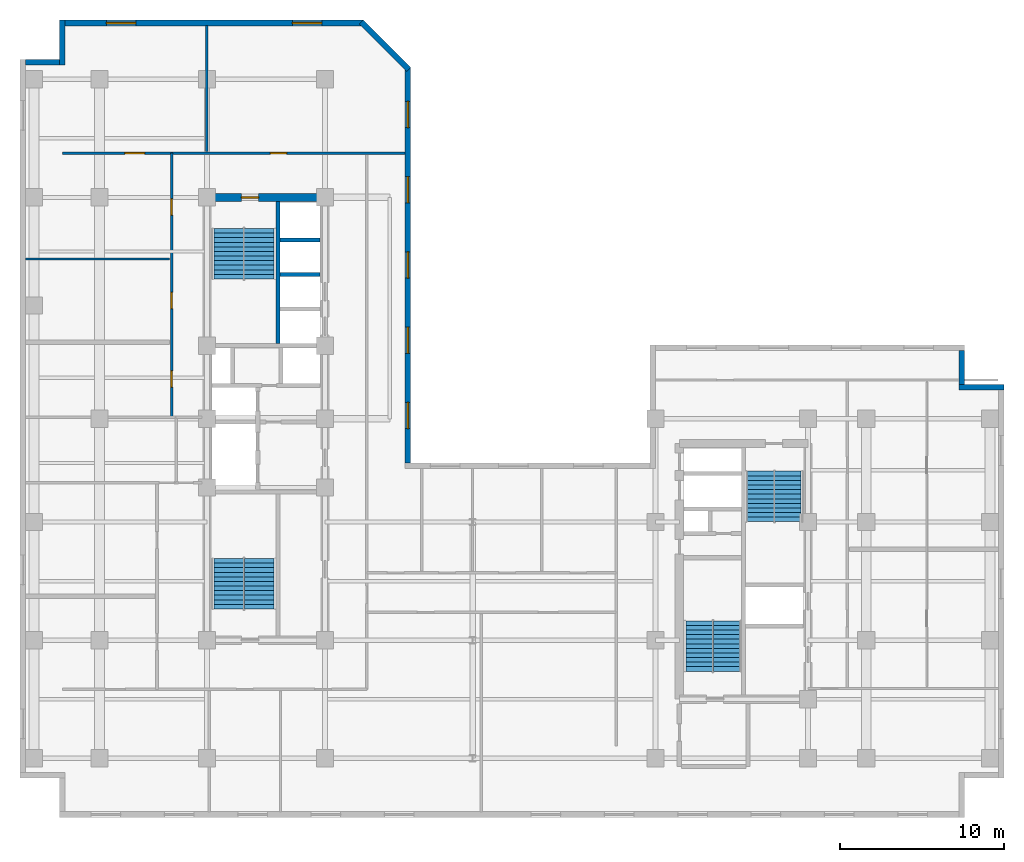
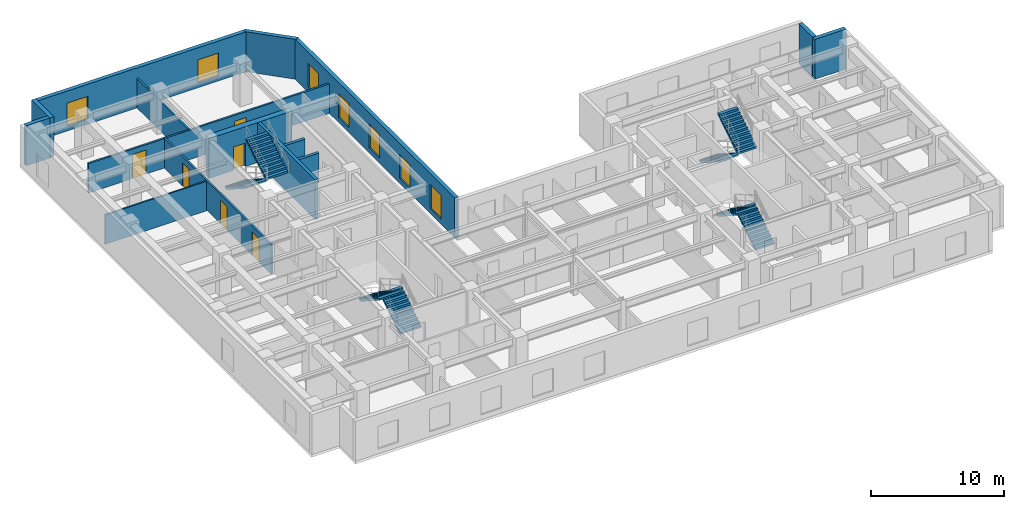
# One storey, part 6 of 9: 15 walls, 8 stair flights, 7 windows, 6 doors, 13 openings, 4 elements without a shape of their own.
"""IFC4 building model written with IfcOpenShell, lengths in metres."""

from ifc_helpers import new_model, entity, si_unit, converted_unit, direction, frame, origin_with_axes, origin_2d_with_axis, place, context, subcontext, project, spatial, polyline, rectangle, outline, extrude, material, layer, layer_set, type_object, element, fill, aggregate, save


model = new_model("IFC4")

# Units and contexts
model_context = context("Model", 3, precision=1e-05, world=origin_with_axes(), true_north=direction((0.0, 1.0)))
body_context = subcontext(model_context, "Body", "Model", "MODEL_VIEW")
ifc_project = project(units=[si_unit("LENGTHUNIT", "METRE"), si_unit("AREAUNIT", "SQUARE_METRE"), si_unit("VOLUMEUNIT", "CUBIC_METRE"), converted_unit("PLANEANGLEUNIT", "DEGREE", entity("IfcPlaneAngleMeasure", 0.017453292519943295), si_unit("PLANEANGLEUNIT", "RADIAN"), dimensions=[0, 0, 0, 0, 0, 0, 0]), si_unit("MASSUNIT", "GRAM", prefix="KILO"), si_unit("THERMODYNAMICTEMPERATUREUNIT", "KELVIN")], contexts=[model_context])

# Site, building, storey
site_placement = place(None, origin_with_axes())
site = spatial("IfcSite", under=ifc_project, at=site_placement, CompositionType="ELEMENT")
building_placement = place(site_placement, origin_with_axes())
building = spatial("IfcBuilding", under=site, at=building_placement, Name="Varnlund Millrace Tower", CompositionType="ELEMENT")
storey_placement = place(building_placement, frame((0.0, 0.0, 164.1), z_axis=(0.0, 0.0, 1.0), x_axis=(1.0, 0.0, 0.0)))
storey = spatial("IfcBuildingStorey", under=building, at=storey_placement, Name="L40", CompositionType="ELEMENT", Elevation=164.1)

# Wall, opening, door
ifc_material_1 = material(Name="Concrete C70/85", Category="concrete")
ifc_layer_1 = layer(ifc_material_1, 0.5, Name="Concrete C70/85")
ifc_layer_set_1 = layer_set([ifc_layer_1], Name="Concrete C70/85")
wall_type_1 = type_object("IfcWallType", Name="Type-CoreWall-Shear-500-C70", PredefinedType="SHEAR", material=ifc_layer_set_1)
wall_1_placement = place(storey_placement, frame((11.4, 37.8, 0.0), z_axis=(0.0, 0.0, 1.0), x_axis=(1.0, 0.0, 0.0)))
wall_1 = element("IfcWall", 1, at=wall_1_placement, inside=storey, type_object=wall_type_1, Name="Type-CoreWall-Shear-500-C70", PredefinedType="SHEAR", context=body_context, shape_type="SweptSolid", body=[
    extrude(outline(polyline([(0.0, -0.25), (7.2, -0.25), (7.2, 0.25), (0.0, 0.25), (0.0, -0.25)])), origin_with_axes(), (0.0, 0.0, 1.0), 3.66),
])
opening_1_placement = place(wall_1_placement, frame((2.625, 0.0, 0.0), z_axis=(0.0, 0.0, 1.0), x_axis=(1.0, 0.0, 0.0)))
opening_1 = element("IfcOpeningElement", 2, at=opening_1_placement, cuts=wall_1, Name="Opening L40:DR-STA2", PredefinedType="OPENING", context=body_context, shape_type="SweptSolid", body=[
    extrude(rectangle(XDim=1.05, YDim=0.52, at=origin_2d_with_axis()), origin_with_axes(), (0.0, 0.0, 1.0), 2.15),
])
ifc_material_2 = material(Name="Fire-rated hollow steel door", Category="steel")
door_type_1 = type_object("IfcDoorType", Name="Type-FireDoor-Stair-1050X2150", OperationType="NOTDEFINED", PredefinedType="DOOR", material=ifc_material_2)
door_1_placement = place(wall_1_placement, frame((2.625, 0.0, 0.0), z_axis=(0.0, 0.0, 1.0), x_axis=(1.0, 0.0, 0.0)))
door_1 = element("IfcDoor", 3, at=door_1_placement, inside=storey, type_object=door_type_1, Name="Type-FireDoor-Stair-1050X2150", OperationType="SINGLE_SWING_RIGHT", OverallHeight=2.15, OverallWidth=1.05, PredefinedType="DOOR", context=body_context, shape_type="SweptSolid", body=[
    extrude(rectangle(XDim=1.05, YDim=0.09, at=origin_2d_with_axis()), origin_with_axes(), (0.0, 0.0, 1.0), 2.15),
])
fill(opening_1, door_1)

# Walls
ifc_material_3 = material(Name="Precast concrete C50/60", Category="concrete")
ifc_layer_2 = layer(ifc_material_3, 0.34, Name="Precast concrete C50/60")
ifc_layer_set_2 = layer_set([ifc_layer_2], Name="Precast concrete C50/60")
wall_type_2 = type_object("IfcWallType", Name="Type-ExtWall-Precast-Upper-340", PredefinedType="SOLIDWALL", material=ifc_layer_set_2)
wall_2_placement = place(storey_placement, frame((57.43, 28.46, 0.0), z_axis=(0.0, 0.0, 1.0), x_axis=(0.0, -1.0, 0.0)))
element("IfcWall", 4, at=wall_2_placement, inside=storey, type_object=wall_type_2, Name="Type-ExtWall-Precast-Upper-340", PredefinedType="SOLIDWALL", context=body_context, shape_type="SweptSolid", body=[
    extrude(outline(polyline([(0.0, -0.17), (2.06, -0.17), (2.06, 0.17), (0.0, 0.17), (0.0, -0.17)])), origin_with_axes(), (0.0, 0.0, 1.0), 3.66),
])
wall_3_placement = place(storey_placement, frame((57.26, 26.23, 0.0), z_axis=(0.0, 0.0, 1.0), x_axis=(1.0, 0.0, 0.0)))
element("IfcWall", 5, at=wall_3_placement, inside=storey, type_object=wall_type_2, Name="Type-ExtWall-Precast-Upper-340", PredefinedType="SOLIDWALL", context=body_context, shape_type="SweptSolid", body=[
    extrude(outline(polyline([(0.0, -0.17), (2.74, -0.17), (2.74, 0.17), (0.0, 0.17), (0.0, -0.17)])), origin_with_axes(), (0.0, 0.0, 1.0), 3.66),
])
wall_4_placement = place(storey_placement, frame((0.34, 46.03, 0.0), z_axis=(0.0, 0.0, 1.0), x_axis=(1.0, 0.0, 0.0)))
element("IfcWall", 6, at=wall_4_placement, inside=storey, type_object=wall_type_2, Name="Type-ExtWall-Precast-Upper-340", PredefinedType="SOLIDWALL", context=body_context, shape_type="SweptSolid", body=[
    extrude(outline(polyline([(0.0, -0.17), (2.06, -0.17), (2.06, 0.17), (0.0, 0.17), (0.0, -0.17)])), origin_with_axes(), (0.0, 0.0, 1.0), 3.66),
])
wall_5_placement = place(storey_placement, frame((2.57, 45.86, 0.0), z_axis=(0.0, 0.0, 1.0), x_axis=(0.0, 1.0, 0.0)))
element("IfcWall", 7, at=wall_5_placement, inside=storey, type_object=wall_type_2, Name="Type-ExtWall-Precast-Upper-340", PredefinedType="SOLIDWALL", context=body_context, shape_type="SweptSolid", body=[
    extrude(outline(polyline([(0.0, -0.17), (2.74, -0.17), (2.74, 0.17), (0.0, 0.17), (0.0, -0.17)])), origin_with_axes(), (0.0, 0.0, 1.0), 3.66),
])

# Wall, openings, windows
wall_6_placement = place(storey_placement, frame((2.74, 48.43, 0.0), z_axis=(0.0, 0.0, 1.0), x_axis=(1.0, 0.0, 0.0)))
wall_6 = element("IfcWall", 8, at=wall_6_placement, inside=storey, type_object=wall_type_2, Name="Type-ExtWall-Precast-Upper-340", PredefinedType="SOLIDWALL", context=body_context, shape_type="SweptSolid", body=[
    extrude(outline(polyline([(0.0, -0.17), (18.199, -0.17), (18.199, 0.17), (0.0, 0.17), (0.0, -0.17)])), origin_with_axes(), (0.0, 0.0, 1.0), 3.66),
])
opening_2_placement = place(wall_6_placement, frame((3.433, 0.0, 0.45), z_axis=(0.0, 0.0, 1.0), x_axis=(1.0, 0.0, 0.0)))
opening_2 = element("IfcOpeningElement", 9, at=opening_2_placement, cuts=wall_6, Name="Opening L40:WN-22", PredefinedType="OPENING", context=body_context, shape_type="SweptSolid", body=[
    extrude(rectangle(XDim=1.8, YDim=0.36, at=origin_2d_with_axis()), origin_with_axes(), (0.0, 0.0, 1.0), 2.1),
])
opening_3_placement = place(wall_6_placement, frame((14.766, 0.0, 0.45), z_axis=(0.0, 0.0, 1.0), x_axis=(1.0, 0.0, 0.0)))
opening_3 = element("IfcOpeningElement", 10, at=opening_3_placement, cuts=wall_6, Name="Opening L40:WN-23", PredefinedType="OPENING", context=body_context, shape_type="SweptSolid", body=[
    extrude(rectangle(XDim=1.8, YDim=0.36, at=origin_2d_with_axis()), origin_with_axes(), (0.0, 0.0, 1.0), 2.1),
])
ifc_material_4 = material(Name="Argon low-e triple glazing in thermally broken bronze frame", Category="glass")
window_type_1 = type_object("IfcWindowType", Name="Type-Window-Punched-1800X2100", PartitioningType="SINGLE_PANEL", PredefinedType="WINDOW", material=ifc_material_4)
window_1_placement = place(wall_6_placement, frame((3.433, 0.0, 0.45), z_axis=(0.0, 0.0, 1.0), x_axis=(1.0, 0.0, 0.0)))
window_1 = element("IfcWindow", 11, at=window_1_placement, inside=storey, type_object=window_type_1, Name="Type-Window-Punched-1800X2100", OverallHeight=2.1, OverallWidth=1.8, PredefinedType="WINDOW", context=body_context, shape_type="SweptSolid", body=[
    extrude(rectangle(XDim=1.8, YDim=0.09, at=origin_2d_with_axis()), origin_with_axes(), (0.0, 0.0, 1.0), 2.1),
])
fill(opening_2, window_1)
window_2_placement = place(wall_6_placement, frame((14.766, 0.0, 0.45), z_axis=(0.0, 0.0, 1.0), x_axis=(1.0, 0.0, 0.0)))
window_2 = element("IfcWindow", 12, at=window_2_placement, inside=storey, type_object=window_type_1, Name="Type-Window-Punched-1800X2100", OverallHeight=2.1, OverallWidth=1.8, PredefinedType="WINDOW", context=body_context, shape_type="SweptSolid", body=[
    extrude(rectangle(XDim=1.8, YDim=0.09, at=origin_2d_with_axis()), origin_with_axes(), (0.0, 0.0, 1.0), 2.1),
])
fill(opening_3, window_2)

# Wall
wall_7_placement = place(storey_placement, frame((20.805, 48.494, 0.0), z_axis=(0.0, 0.0, 1.0), x_axis=(0.707107, -0.707107, 0.0)))
element("IfcWall", 13, at=wall_7_placement, inside=storey, type_object=wall_type_2, Name="Type-ExtWall-Precast-Upper-340", PredefinedType="SOLIDWALL", context=body_context, shape_type="SweptSolid", body=[
    extrude(outline(polyline([(0.0, -0.17), (4.092734, -0.17), (4.092734, 0.17), (0.0, 0.17), (0.0, -0.17)])), origin_with_axes(), (0.0, 0.0, 1.0), 3.66),
])

# Wall, openings, windows
wall_8_placement = place(storey_placement, frame((23.649, 45.74, 0.0), z_axis=(0.0, 0.0, 1.0), x_axis=(0.0, -1.0, 0.0)))
wall_8 = element("IfcWall", 14, at=wall_8_placement, inside=storey, type_object=wall_type_2, Name="Type-ExtWall-Precast-Upper-340", PredefinedType="SOLIDWALL", context=body_context, shape_type="SweptSolid", body=[
    extrude(outline(polyline([(0.0, -0.17), (24.14, -0.17), (24.14, 0.17), (0.0, 0.17), (0.0, -0.17)])), origin_with_axes(), (0.0, 0.0, 1.0), 3.66),
])
opening_4_placement = place(wall_8_placement, frame((2.894, 0.0, 0.45), z_axis=(0.0, 0.0, 1.0), x_axis=(1.0, 0.0, 0.0)))
opening_4 = element("IfcOpeningElement", 15, at=opening_4_placement, cuts=wall_8, Name="Opening L40:WN-24", PredefinedType="OPENING", context=body_context, shape_type="SweptSolid", body=[
    extrude(rectangle(XDim=1.6, YDim=0.36, at=origin_2d_with_axis()), origin_with_axes(), (0.0, 0.0, 1.0), 2.2),
])
opening_5_placement = place(wall_8_placement, frame((7.482, 0.0, 0.45), z_axis=(0.0, 0.0, 1.0), x_axis=(1.0, 0.0, 0.0)))
opening_5 = element("IfcOpeningElement", 16, at=opening_5_placement, cuts=wall_8, Name="Opening L40:WN-25", PredefinedType="OPENING", context=body_context, shape_type="SweptSolid", body=[
    extrude(rectangle(XDim=1.6, YDim=0.36, at=origin_2d_with_axis()), origin_with_axes(), (0.0, 0.0, 1.0), 2.2),
])
opening_6_placement = place(wall_8_placement, frame((12.07, 0.0, 0.45), z_axis=(0.0, 0.0, 1.0), x_axis=(1.0, 0.0, 0.0)))
opening_6 = element("IfcOpeningElement", 17, at=opening_6_placement, cuts=wall_8, Name="Opening L40:WN-26", PredefinedType="OPENING", context=body_context, shape_type="SweptSolid", body=[
    extrude(rectangle(XDim=1.6, YDim=0.36, at=origin_2d_with_axis()), origin_with_axes(), (0.0, 0.0, 1.0), 2.2),
])
opening_7_placement = place(wall_8_placement, frame((16.658, 0.0, 0.45), z_axis=(0.0, 0.0, 1.0), x_axis=(1.0, 0.0, 0.0)))
opening_7 = element("IfcOpeningElement", 18, at=opening_7_placement, cuts=wall_8, Name="Opening L40:WN-27", PredefinedType="OPENING", context=body_context, shape_type="SweptSolid", body=[
    extrude(rectangle(XDim=1.6, YDim=0.36, at=origin_2d_with_axis()), origin_with_axes(), (0.0, 0.0, 1.0), 2.2),
])
opening_8_placement = place(wall_8_placement, frame((21.246, 0.0, 0.45), z_axis=(0.0, 0.0, 1.0), x_axis=(1.0, 0.0, 0.0)))
opening_8 = element("IfcOpeningElement", 19, at=opening_8_placement, cuts=wall_8, Name="Opening L40:WN-28", PredefinedType="OPENING", context=body_context, shape_type="SweptSolid", body=[
    extrude(rectangle(XDim=1.6, YDim=0.36, at=origin_2d_with_axis()), origin_with_axes(), (0.0, 0.0, 1.0), 2.2),
])
window_type_2 = type_object("IfcWindowType", Name="Type-Window-Slot-1600X2200", PartitioningType="SINGLE_PANEL", PredefinedType="WINDOW", material=ifc_material_4)
window_3_placement = place(wall_8_placement, frame((2.894, 0.0, 0.45), z_axis=(0.0, 0.0, 1.0), x_axis=(1.0, 0.0, 0.0)))
window_3 = element("IfcWindow", 20, at=window_3_placement, inside=storey, type_object=window_type_2, Name="Type-Window-Slot-1600X2200", OverallHeight=2.2, OverallWidth=1.6, PredefinedType="WINDOW", context=body_context, shape_type="SweptSolid", body=[
    extrude(rectangle(XDim=1.6, YDim=0.09, at=origin_2d_with_axis()), origin_with_axes(), (0.0, 0.0, 1.0), 2.2),
])
fill(opening_4, window_3)
window_4_placement = place(wall_8_placement, frame((7.482, 0.0, 0.45), z_axis=(0.0, 0.0, 1.0), x_axis=(1.0, 0.0, 0.0)))
window_4 = element("IfcWindow", 21, at=window_4_placement, inside=storey, type_object=window_type_2, Name="Type-Window-Slot-1600X2200", OverallHeight=2.2, OverallWidth=1.6, PredefinedType="WINDOW", context=body_context, shape_type="SweptSolid", body=[
    extrude(rectangle(XDim=1.6, YDim=0.09, at=origin_2d_with_axis()), origin_with_axes(), (0.0, 0.0, 1.0), 2.2),
])
fill(opening_5, window_4)
window_5_placement = place(wall_8_placement, frame((12.07, 0.0, 0.45), z_axis=(0.0, 0.0, 1.0), x_axis=(1.0, 0.0, 0.0)))
window_5 = element("IfcWindow", 22, at=window_5_placement, inside=storey, type_object=window_type_2, Name="Type-Window-Slot-1600X2200", OverallHeight=2.2, OverallWidth=1.6, PredefinedType="WINDOW", context=body_context, shape_type="SweptSolid", body=[
    extrude(rectangle(XDim=1.6, YDim=0.09, at=origin_2d_with_axis()), origin_with_axes(), (0.0, 0.0, 1.0), 2.2),
])
fill(opening_6, window_5)
window_6_placement = place(wall_8_placement, frame((16.658, 0.0, 0.45), z_axis=(0.0, 0.0, 1.0), x_axis=(1.0, 0.0, 0.0)))
window_6 = element("IfcWindow", 23, at=window_6_placement, inside=storey, type_object=window_type_2, Name="Type-Window-Slot-1600X2200", OverallHeight=2.2, OverallWidth=1.6, PredefinedType="WINDOW", context=body_context, shape_type="SweptSolid", body=[
    extrude(rectangle(XDim=1.6, YDim=0.09, at=origin_2d_with_axis()), origin_with_axes(), (0.0, 0.0, 1.0), 2.2),
])
fill(opening_7, window_6)
window_7_placement = place(wall_8_placement, frame((21.246, 0.0, 0.45), z_axis=(0.0, 0.0, 1.0), x_axis=(1.0, 0.0, 0.0)))
window_7 = element("IfcWindow", 24, at=window_7_placement, inside=storey, type_object=window_type_2, Name="Type-Window-Slot-1600X2200", OverallHeight=2.2, OverallWidth=1.6, PredefinedType="WINDOW", context=body_context, shape_type="SweptSolid", body=[
    extrude(rectangle(XDim=1.6, YDim=0.09, at=origin_2d_with_axis()), origin_with_axes(), (0.0, 0.0, 1.0), 2.2),
])
fill(opening_8, window_7)

# Wall, openings, doors
ifc_material_5 = material(Name="Fire-rated gypsum board on cold-formed steel framing", Category="steel")
ifc_layer_3 = layer(ifc_material_5, 0.16, Name="Fire-rated gypsum board on cold-formed steel framing")
ifc_layer_set_3 = layer_set([ifc_layer_3], Name="Fire-rated gypsum board on cold-formed steel framing")
wall_type_3 = type_object("IfcWallType", Name="Type-Partition-Corridor-160", PredefinedType="PARTITIONING", material=ifc_layer_set_3)
wall_9_placement = place(storey_placement, frame((2.6, 40.5, 0.0), z_axis=(0.0, 0.0, 1.0), x_axis=(1.0, 0.0, 0.0)))
wall_9 = element("IfcWall", 25, at=wall_9_placement, inside=storey, type_object=wall_type_3, Name="Type-Partition-Corridor-160", PredefinedType="PARTITIONING", context=body_context, shape_type="SweptSolid", body=[
    extrude(outline(polyline([(0.0, -0.08), (20.884, -0.08), (20.884, 0.08), (0.0, 0.08), (0.0, -0.08)])), origin_with_axes(), (0.0, 0.0, 1.0), 2.7),
])
opening_9_placement = place(wall_9_placement, frame((4.395, 0.0, 0.0), z_axis=(0.0, 0.0, 1.0), x_axis=(1.0, 0.0, 0.0)))
opening_9 = element("IfcOpeningElement", 26, at=opening_9_placement, cuts=wall_9, Name="Opening L40:DR-WAN-01", PredefinedType="OPENING", context=body_context, shape_type="SweptSolid", body=[
    extrude(rectangle(XDim=1.2, YDim=0.18, at=origin_2d_with_axis()), origin_with_axes(), (0.0, 0.0, 1.0), 2.2),
])
opening_10_placement = place(wall_9_placement, frame((13.16, 0.0, 0.0), z_axis=(0.0, 0.0, 1.0), x_axis=(1.0, 0.0, 0.0)))
opening_10 = element("IfcOpeningElement", 27, at=opening_10_placement, cuts=wall_9, Name="Opening L40:DR-WAN-02", PredefinedType="OPENING", context=body_context, shape_type="SweptSolid", body=[
    extrude(rectangle(XDim=1.0, YDim=0.18, at=origin_2d_with_axis()), origin_with_axes(), (0.0, 0.0, 1.0), 2.15),
])
ifc_material_6 = material(Name="Wide executive white oak acoustic door")
door_type_2 = type_object("IfcDoorType", Name="Type-IntDoor-Exec-1200X2200", OperationType="NOTDEFINED", PredefinedType="DOOR", material=ifc_material_6)
door_2_placement = place(wall_9_placement, frame((4.395, 0.0, 0.0), z_axis=(0.0, 0.0, 1.0), x_axis=(1.0, 0.0, 0.0)))
door_2 = element("IfcDoor", 28, at=door_2_placement, inside=storey, type_object=door_type_2, Name="Type-IntDoor-Exec-1200X2200", OperationType="SINGLE_SWING_LEFT", OverallHeight=2.2, OverallWidth=1.2, PredefinedType="DOOR", context=body_context, shape_type="SweptSolid", body=[
    extrude(rectangle(XDim=1.2, YDim=0.09, at=origin_2d_with_axis()), origin_with_axes(), (0.0, 0.0, 1.0), 2.2),
])
fill(opening_9, door_2)
ifc_material_7 = material(Name="Solid-core white oak and bronze frame door")
door_type_3 = type_object("IfcDoorType", Name="Type-IntDoor-Office-1000X2150", OperationType="NOTDEFINED", PredefinedType="DOOR", material=ifc_material_7)
door_3_placement = place(wall_9_placement, frame((13.16, 0.0, 0.0), z_axis=(0.0, 0.0, 1.0), x_axis=(1.0, 0.0, 0.0)))
door_3 = element("IfcDoor", 29, at=door_3_placement, inside=storey, type_object=door_type_3, Name="Type-IntDoor-Office-1000X2150", OperationType="SINGLE_SWING_RIGHT", OverallHeight=2.15, OverallWidth=1.0, PredefinedType="DOOR", context=body_context, shape_type="SweptSolid", body=[
    extrude(rectangle(XDim=1.0, YDim=0.09, at=origin_2d_with_axis()), origin_with_axes(), (0.0, 0.0, 1.0), 2.15),
])
fill(opening_10, door_3)

wall_10_placement = place(storey_placement, frame((9.25, 24.4, 0.0), z_axis=(0.0, 0.0, 1.0), x_axis=(0.0, 1.0, 0.0)))
wall_10 = element("IfcWall", 30, at=wall_10_placement, inside=storey, type_object=wall_type_3, Name="Type-Partition-Corridor-160", PredefinedType="PARTITIONING", context=body_context, shape_type="SweptSolid", body=[
    extrude(outline(polyline([(0.0, -0.08), (16.1, -0.08), (16.1, 0.08), (0.0, 0.08), (0.0, -0.08)])), origin_with_axes(), (0.0, 0.0, 1.0), 2.7),
])
opening_11_placement = place(wall_10_placement, frame((2.325, 0.0, 0.0), z_axis=(0.0, 0.0, 1.0), x_axis=(1.0, 0.0, 0.0)))
opening_11 = element("IfcOpeningElement", 31, at=opening_11_placement, cuts=wall_10, Name="Opening L40:DR-WN-01", PredefinedType="OPENING", context=body_context, shape_type="SweptSolid", body=[
    extrude(rectangle(XDim=1.0, YDim=0.18, at=origin_2d_with_axis()), origin_with_axes(), (0.0, 0.0, 1.0), 2.15),
])
opening_12_placement = place(wall_10_placement, frame((7.1105, 0.0, 0.0), z_axis=(0.0, 0.0, 1.0), x_axis=(1.0, 0.0, 0.0)))
opening_12 = element("IfcOpeningElement", 32, at=opening_12_placement, cuts=wall_10, Name="Opening L40:DR-WN-02", PredefinedType="OPENING", context=body_context, shape_type="SweptSolid", body=[
    extrude(rectangle(XDim=1.0, YDim=0.18, at=origin_2d_with_axis()), origin_with_axes(), (0.0, 0.0, 1.0), 2.15),
])
opening_13_placement = place(wall_10_placement, frame((12.8105, 0.0, 0.0), z_axis=(0.0, 0.0, 1.0), x_axis=(1.0, 0.0, 0.0)))
opening_13 = element("IfcOpeningElement", 33, at=opening_13_placement, cuts=wall_10, Name="Opening L40:DR-WN-03", PredefinedType="OPENING", context=body_context, shape_type="SweptSolid", body=[
    extrude(rectangle(XDim=1.0, YDim=0.18, at=origin_2d_with_axis()), origin_with_axes(), (0.0, 0.0, 1.0), 2.15),
])
door_4_placement = place(wall_10_placement, frame((2.325, 0.0, 0.0), z_axis=(0.0, 0.0, 1.0), x_axis=(1.0, 0.0, 0.0)))
door_4 = element("IfcDoor", 34, at=door_4_placement, inside=storey, type_object=door_type_3, Name="Type-IntDoor-Office-1000X2150", OperationType="SINGLE_SWING_LEFT", OverallHeight=2.15, OverallWidth=1.0, PredefinedType="DOOR", context=body_context, shape_type="SweptSolid", body=[
    extrude(rectangle(XDim=1.0, YDim=0.09, at=origin_2d_with_axis()), origin_with_axes(), (0.0, 0.0, 1.0), 2.15),
])
fill(opening_11, door_4)
door_5_placement = place(wall_10_placement, frame((7.1105, 0.0, 0.0), z_axis=(0.0, 0.0, 1.0), x_axis=(1.0, 0.0, 0.0)))
door_5 = element("IfcDoor", 35, at=door_5_placement, inside=storey, type_object=door_type_3, Name="Type-IntDoor-Office-1000X2150", OperationType="SINGLE_SWING_RIGHT", OverallHeight=2.15, OverallWidth=1.0, PredefinedType="DOOR", context=body_context, shape_type="SweptSolid", body=[
    extrude(rectangle(XDim=1.0, YDim=0.09, at=origin_2d_with_axis()), origin_with_axes(), (0.0, 0.0, 1.0), 2.15),
])
fill(opening_12, door_5)
door_6_placement = place(wall_10_placement, frame((12.8105, 0.0, 0.0), z_axis=(0.0, 0.0, 1.0), x_axis=(1.0, 0.0, 0.0)))
door_6 = element("IfcDoor", 36, at=door_6_placement, inside=storey, type_object=door_type_3, Name="Type-IntDoor-Office-1000X2150", OperationType="SINGLE_SWING_LEFT", OverallHeight=2.15, OverallWidth=1.0, PredefinedType="DOOR", context=body_context, shape_type="SweptSolid", body=[
    extrude(rectangle(XDim=1.0, YDim=0.09, at=origin_2d_with_axis()), origin_with_axes(), (0.0, 0.0, 1.0), 2.15),
])
fill(opening_13, door_6)

# Walls
ifc_material_8 = material(Name="Acoustic STC-50 gypsum board partition", Category="gypsum")
ifc_layer_4 = layer(ifc_material_8, 0.15, Name="Acoustic STC-50 gypsum board partition")
ifc_layer_set_4 = layer_set([ifc_layer_4], Name="Acoustic STC-50 gypsum board partition")
wall_type_4 = type_object("IfcWallType", Name="Type-Partition-Demising-150", PredefinedType="PARTITIONING", material=ifc_layer_set_4)
wall_11_placement = place(storey_placement, frame((11.4, 40.6, 0.0), z_axis=(0.0, 0.0, 1.0), x_axis=(0.0, 1.0, 0.0)))
element("IfcWall", 37, at=wall_11_placement, inside=storey, type_object=wall_type_4, Name="Type-Partition-Demising-150", PredefinedType="PARTITIONING", context=body_context, shape_type="SweptSolid", body=[
    extrude(outline(polyline([(0.0, -0.075), (7.665, -0.075), (7.665, 0.075), (0.0, 0.075), (0.0, -0.075)])), origin_with_axes(), (0.0, 0.0, 1.0), 2.7),
])
ifc_material_9 = material(Name="Gypsum board tenant partition", Category="gypsum")
ifc_layer_5 = layer(ifc_material_9, 0.125, Name="Gypsum board tenant partition")
ifc_layer_set_5 = layer_set([ifc_layer_5], Name="Gypsum board tenant partition")
wall_type_5 = type_object("IfcWallType", Name="Type-Partition-Tenant-125", PredefinedType="PARTITIONING", material=ifc_layer_set_5)
wall_12_placement = place(storey_placement, frame((0.335, 34.051, 0.0), z_axis=(0.0, 0.0, 1.0), x_axis=(1.0, 0.0, 0.0)))
element("IfcWall", 38, at=wall_12_placement, inside=storey, type_object=wall_type_5, Name="Type-Partition-Tenant-125", PredefinedType="PARTITIONING", context=body_context, shape_type="SweptSolid", body=[
    extrude(outline(polyline([(0.0, -0.0625), (8.795, -0.0625), (8.795, 0.0625), (0.0, 0.0625), (0.0, -0.0625)])), origin_with_axes(), (0.0, 0.0, 1.0), 2.7),
])
ifc_material_10 = material(Name="Concrete C60/75", Category="concrete")
ifc_layer_6 = layer(ifc_material_10, 0.25, Name="Concrete C60/75")
ifc_layer_set_6 = layer_set([ifc_layer_6], Name="Concrete C60/75")
wall_type_6 = type_object("IfcWallType", Name="Type-ShaftWall-Fire-250", PredefinedType="SOLIDWALL", material=ifc_layer_set_6)
for number, where, z_axis, x_axis, name in (
    (39, (15.84, 33.1, 0.0), (0.0, 0.0, 1.0), (1.0, 0.0, 0.0), "Type-ShaftWall-Fire-250"),
    (40, (15.84, 35.2, 0.0), (0.0, 0.0, 1.0), (1.0, 0.0, 0.0), "Type-ShaftWall-Fire-250"),
):
    element("IfcWall", number, at=place(storey_placement, frame(where, z_axis=z_axis, x_axis=x_axis)), inside=storey, type_object=wall_type_6, Name=name, PredefinedType="SOLIDWALL", context=body_context, shape_type="SweptSolid", body=[
        extrude(outline(polyline([(0.0, -0.125), (2.46, -0.125), (2.46, 0.125), (0.0, 0.125), (0.0, -0.125)])), origin_with_axes(), (0.0, 0.0, 1.0), 2.7),
    ])
wall_type_7 = type_object("IfcWallType", Name="Type-StairWall-Shear-250", PredefinedType="SHEAR", material=ifc_layer_set_6)
wall_13_placement = place(storey_placement, frame((15.725, 28.9, 0.0), z_axis=(0.0, 0.0, 1.0), x_axis=(0.0, 1.0, 0.0)))
element("IfcWall", 41, at=wall_13_placement, inside=storey, type_object=wall_type_7, Name="Type-StairWall-Shear-250", PredefinedType="SHEAR", context=body_context, shape_type="SweptSolid", body=[
    extrude(outline(polyline([(0.0, -0.125), (8.65, -0.125), (8.65, 0.125), (0.0, 0.125), (0.0, -0.125)])), origin_with_axes(), (0.0, 0.0, 1.0), 3.66),
])

# Stair, stair flights
ifc_material_11 = material(Name="Concrete C50/60", Category="concrete")
stair_type_1 = type_object("IfcStairType", Name="Type-Stair-Dogleg-165-390", PredefinedType="HALF_TURN_STAIR", material=ifc_material_11)
stair_1_placement = place(storey_placement, origin_with_axes())
stair_1 = element("IfcStair", 42, at=stair_1_placement, inside=storey, type_object=stair_type_1, Name="Type-Stair-Dogleg-165-390", PredefinedType="HALF_TURN_STAIR")
stair_flight_type_1 = type_object("IfcStairFlightType", Name="Type-Dogleg-Run-165-390", PredefinedType="STRAIGHT", material=ifc_material_3)
stair_flight_1_placement = place(storey_placement, frame((42.225, 8.9, 0.0), z_axis=(1.0, 0.0, 0.0), x_axis=(0.0, 1.0, 0.0)))
stair_flight_1 = element("IfcStairFlight", 43, at=stair_flight_1_placement, type_object=stair_flight_type_1, Name="ST-B1 flight 1", NumberOfRisers=11, NumberOfTreads=11, PredefinedType="STRAIGHT", RiserHeight=0.177273, TreadLength=0.28, context=body_context, shape_type="SweptSolid", body=[
    extrude(outline(polyline([(0.0, 0.0), (0.0, 0.177273), (0.28, 0.177273), (0.28, 0.354545), (0.56, 0.354545), (0.56, 0.531818), (0.84, 0.531818), (0.84, 0.709091), (1.12, 0.709091), (1.12, 0.886364), (1.4, 0.886364), (1.4, 1.063636), (1.68, 1.063636), (1.68, 1.240909), (1.96, 1.240909), (1.96, 1.418182), (2.24, 1.418182), (2.24, 1.595454), (2.52, 1.595454), (2.52, 1.772727), (2.8, 1.772727), (2.8, 1.95), (3.08, 1.95), (3.08, 1.8), (0.28, 0.0), (0.0, 0.0)])), origin_with_axes(), (0.0, 0.0, 1.0), 1.65),
])
stair_flight_2_placement = place(storey_placement, frame((42.275, 11.98, 1.95), z_axis=(-1.0, 0.0, 0.0), x_axis=(0.0, -1.0, 0.0)))
stair_flight_2 = element("IfcStairFlight", 44, at=stair_flight_2_placement, type_object=stair_flight_type_1, Name="ST-B1 flight 2", NumberOfRisers=11, NumberOfTreads=11, PredefinedType="STRAIGHT", RiserHeight=0.177273, TreadLength=0.28, context=body_context, shape_type="SweptSolid", body=[
    extrude(outline(polyline([(0.0, 0.0), (0.0, 0.177273), (0.28, 0.177273), (0.28, 0.354545), (0.56, 0.354545), (0.56, 0.531818), (0.84, 0.531818), (0.84, 0.709091), (1.12, 0.709091), (1.12, 0.886364), (1.4, 0.886364), (1.4, 1.063636), (1.68, 1.063636), (1.68, 1.240909), (1.96, 1.240909), (1.96, 1.418182), (2.24, 1.418182), (2.24, 1.595454), (2.52, 1.595454), (2.52, 1.772727), (2.8, 1.772727), (2.8, 1.95), (3.08, 1.95), (3.08, 1.8), (0.28, 0.0), (0.0, 0.0)])), origin_with_axes(), (0.0, 0.0, 1.0), 1.65),
])
aggregate(stair_1, [stair_flight_1, stair_flight_2])

stair_2_placement = place(storey_placement, origin_with_axes())
stair_2 = element("IfcStair", 45, at=stair_2_placement, inside=storey, type_object=stair_type_1, Name="Type-Stair-Dogleg-165-390", PredefinedType="HALF_TURN_STAIR")
stair_flight_3_placement = place(storey_placement, frame((46.025, 21.1, 0.0), z_axis=(-1.0, 0.0, 0.0), x_axis=(0.0, -1.0, 0.0)))
stair_flight_3 = element("IfcStairFlight", 46, at=stair_flight_3_placement, type_object=stair_flight_type_1, Name="ST-B2 flight 1", NumberOfRisers=11, NumberOfTreads=11, PredefinedType="STRAIGHT", RiserHeight=0.177273, TreadLength=0.28, context=body_context, shape_type="SweptSolid", body=[
    extrude(outline(polyline([(0.0, 0.0), (0.0, 0.177273), (0.28, 0.177273), (0.28, 0.354545), (0.56, 0.354545), (0.56, 0.531818), (0.84, 0.531818), (0.84, 0.709091), (1.12, 0.709091), (1.12, 0.886364), (1.4, 0.886364), (1.4, 1.063636), (1.68, 1.063636), (1.68, 1.240909), (1.96, 1.240909), (1.96, 1.418182), (2.24, 1.418182), (2.24, 1.595454), (2.52, 1.595454), (2.52, 1.772727), (2.8, 1.772727), (2.8, 1.95), (3.08, 1.95), (3.08, 1.8), (0.28, 0.0), (0.0, 0.0)])), origin_with_axes(), (0.0, 0.0, 1.0), 1.65),
])
stair_flight_4_placement = place(storey_placement, frame((45.975, 18.02, 1.95), z_axis=(1.0, 0.0, 0.0), x_axis=(0.0, 1.0, 0.0)))
stair_flight_4 = element("IfcStairFlight", 47, at=stair_flight_4_placement, type_object=stair_flight_type_1, Name="ST-B2 flight 2", NumberOfRisers=11, NumberOfTreads=11, PredefinedType="STRAIGHT", RiserHeight=0.177273, TreadLength=0.28, context=body_context, shape_type="SweptSolid", body=[
    extrude(outline(polyline([(0.0, 0.0), (0.0, 0.177273), (0.28, 0.177273), (0.28, 0.354545), (0.56, 0.354545), (0.56, 0.531818), (0.84, 0.531818), (0.84, 0.709091), (1.12, 0.709091), (1.12, 0.886364), (1.4, 0.886364), (1.4, 1.063636), (1.68, 1.063636), (1.68, 1.240909), (1.96, 1.240909), (1.96, 1.418182), (2.24, 1.418182), (2.24, 1.595454), (2.52, 1.595454), (2.52, 1.772727), (2.8, 1.772727), (2.8, 1.95), (3.08, 1.95), (3.08, 1.8), (0.28, 0.0), (0.0, 0.0)])), origin_with_axes(), (0.0, 0.0, 1.0), 1.65),
])
aggregate(stair_2, [stair_flight_3, stair_flight_4])

stair_type_2 = type_object("IfcStairType", Name="Type-Stair-Dogleg-185-390", PredefinedType="HALF_TURN_STAIR", material=ifc_material_11)
stair_3_placement = place(storey_placement, origin_with_axes())
stair_3 = element("IfcStair", 48, at=stair_3_placement, inside=storey, type_object=stair_type_2, Name="Type-Stair-Dogleg-185-390", PredefinedType="HALF_TURN_STAIR")
stair_flight_type_2 = type_object("IfcStairFlightType", Name="Type-Dogleg-Run-185-390", PredefinedType="STRAIGHT", material=ifc_material_3)
stair_flight_5_placement = place(storey_placement, frame((13.625, 12.7, 0.0), z_axis=(1.0, 0.0, 0.0), x_axis=(0.0, 1.0, 0.0)))
stair_flight_5 = element("IfcStairFlight", 49, at=stair_flight_5_placement, type_object=stair_flight_type_2, Name="ST-A1 flight 1", NumberOfRisers=11, NumberOfTreads=11, PredefinedType="STRAIGHT", RiserHeight=0.177273, TreadLength=0.28, context=body_context, shape_type="SweptSolid", body=[
    extrude(outline(polyline([(0.0, 0.0), (0.0, 0.177273), (0.28, 0.177273), (0.28, 0.354545), (0.56, 0.354545), (0.56, 0.531818), (0.84, 0.531818), (0.84, 0.709091), (1.12, 0.709091), (1.12, 0.886364), (1.4, 0.886364), (1.4, 1.063636), (1.68, 1.063636), (1.68, 1.240909), (1.96, 1.240909), (1.96, 1.418182), (2.24, 1.418182), (2.24, 1.595454), (2.52, 1.595454), (2.52, 1.772727), (2.8, 1.772727), (2.8, 1.95), (3.08, 1.95), (3.08, 1.8), (0.28, 0.0), (0.0, 0.0)])), origin_with_axes(), (0.0, 0.0, 1.0), 1.85),
])
stair_flight_6_placement = place(storey_placement, frame((13.675, 15.78, 1.95), z_axis=(-1.0, 0.0, 0.0), x_axis=(0.0, -1.0, 0.0)))
stair_flight_6 = element("IfcStairFlight", 50, at=stair_flight_6_placement, type_object=stair_flight_type_2, Name="ST-A1 flight 2", NumberOfRisers=11, NumberOfTreads=11, PredefinedType="STRAIGHT", RiserHeight=0.177273, TreadLength=0.28, context=body_context, shape_type="SweptSolid", body=[
    extrude(outline(polyline([(0.0, 0.0), (0.0, 0.177273), (0.28, 0.177273), (0.28, 0.354545), (0.56, 0.354545), (0.56, 0.531818), (0.84, 0.531818), (0.84, 0.709091), (1.12, 0.709091), (1.12, 0.886364), (1.4, 0.886364), (1.4, 1.063636), (1.68, 1.063636), (1.68, 1.240909), (1.96, 1.240909), (1.96, 1.418182), (2.24, 1.418182), (2.24, 1.595454), (2.52, 1.595454), (2.52, 1.772727), (2.8, 1.772727), (2.8, 1.95), (3.08, 1.95), (3.08, 1.8), (0.28, 0.0), (0.0, 0.0)])), origin_with_axes(), (0.0, 0.0, 1.0), 1.85),
])
aggregate(stair_3, [stair_flight_5, stair_flight_6])

stair_4_placement = place(storey_placement, origin_with_axes())
stair_4 = element("IfcStair", 51, at=stair_4_placement, inside=storey, type_object=stair_type_2, Name="Type-Stair-Dogleg-185-390", PredefinedType="HALF_TURN_STAIR")
stair_flight_7_placement = place(storey_placement, frame((13.675, 35.9, 0.0), z_axis=(-1.0, 0.0, 0.0), x_axis=(0.0, -1.0, 0.0)))
stair_flight_7 = element("IfcStairFlight", 52, at=stair_flight_7_placement, type_object=stair_flight_type_2, Name="ST-A2 flight 1", NumberOfRisers=11, NumberOfTreads=11, PredefinedType="STRAIGHT", RiserHeight=0.177273, TreadLength=0.28, context=body_context, shape_type="SweptSolid", body=[
    extrude(outline(polyline([(0.0, 0.0), (0.0, 0.177273), (0.28, 0.177273), (0.28, 0.354545), (0.56, 0.354545), (0.56, 0.531818), (0.84, 0.531818), (0.84, 0.709091), (1.12, 0.709091), (1.12, 0.886364), (1.4, 0.886364), (1.4, 1.063636), (1.68, 1.063636), (1.68, 1.240909), (1.96, 1.240909), (1.96, 1.418182), (2.24, 1.418182), (2.24, 1.595454), (2.52, 1.595454), (2.52, 1.772727), (2.8, 1.772727), (2.8, 1.95), (3.08, 1.95), (3.08, 1.8), (0.28, 0.0), (0.0, 0.0)])), origin_with_axes(), (0.0, 0.0, 1.0), 1.85),
])
stair_flight_8_placement = place(storey_placement, frame((13.625, 32.82, 1.95), z_axis=(1.0, 0.0, 0.0), x_axis=(0.0, 1.0, 0.0)))
stair_flight_8 = element("IfcStairFlight", 53, at=stair_flight_8_placement, type_object=stair_flight_type_2, Name="ST-A2 flight 2", NumberOfRisers=11, NumberOfTreads=11, PredefinedType="STRAIGHT", RiserHeight=0.177273, TreadLength=0.28, context=body_context, shape_type="SweptSolid", body=[
    extrude(outline(polyline([(0.0, 0.0), (0.0, 0.177273), (0.28, 0.177273), (0.28, 0.354545), (0.56, 0.354545), (0.56, 0.531818), (0.84, 0.531818), (0.84, 0.709091), (1.12, 0.709091), (1.12, 0.886364), (1.4, 0.886364), (1.4, 1.063636), (1.68, 1.063636), (1.68, 1.240909), (1.96, 1.240909), (1.96, 1.418182), (2.24, 1.418182), (2.24, 1.595454), (2.52, 1.595454), (2.52, 1.772727), (2.8, 1.772727), (2.8, 1.95), (3.08, 1.95), (3.08, 1.8), (0.28, 0.0), (0.0, 0.0)])), origin_with_axes(), (0.0, 0.0, 1.0), 1.85),
])
aggregate(stair_4, [stair_flight_7, stair_flight_8])

save(model, "model.ifc")
